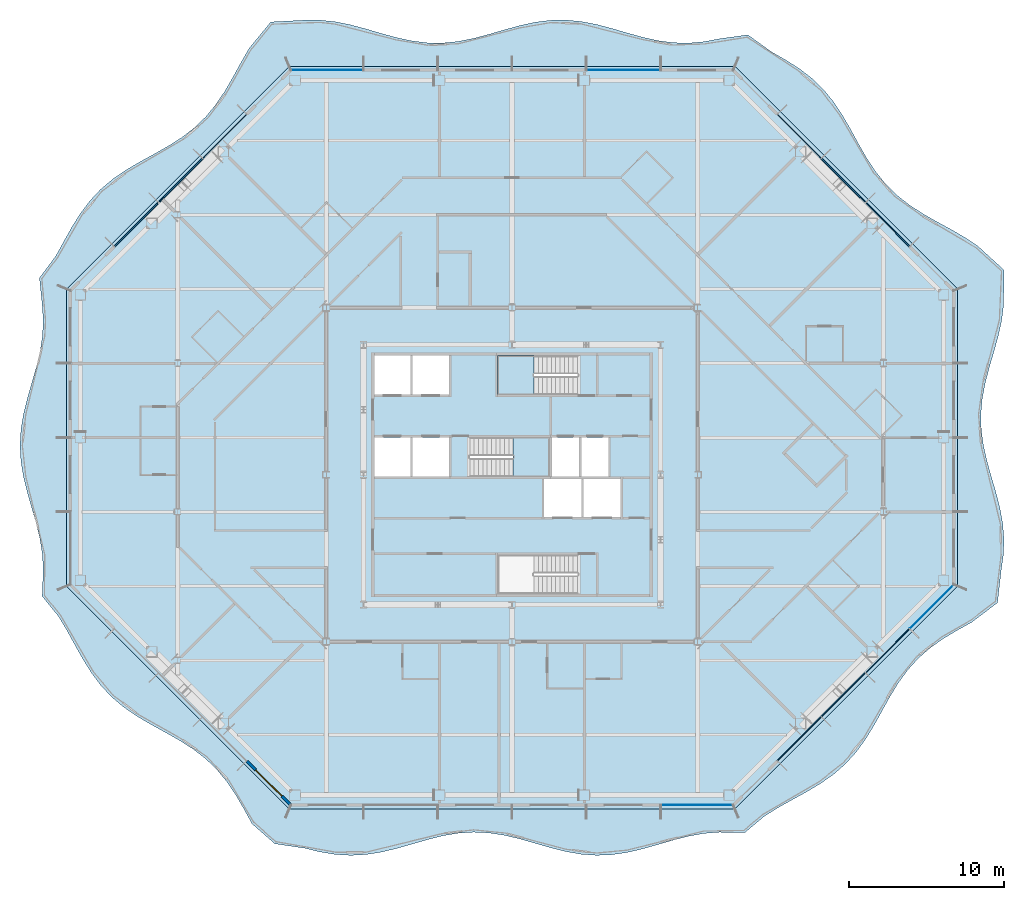
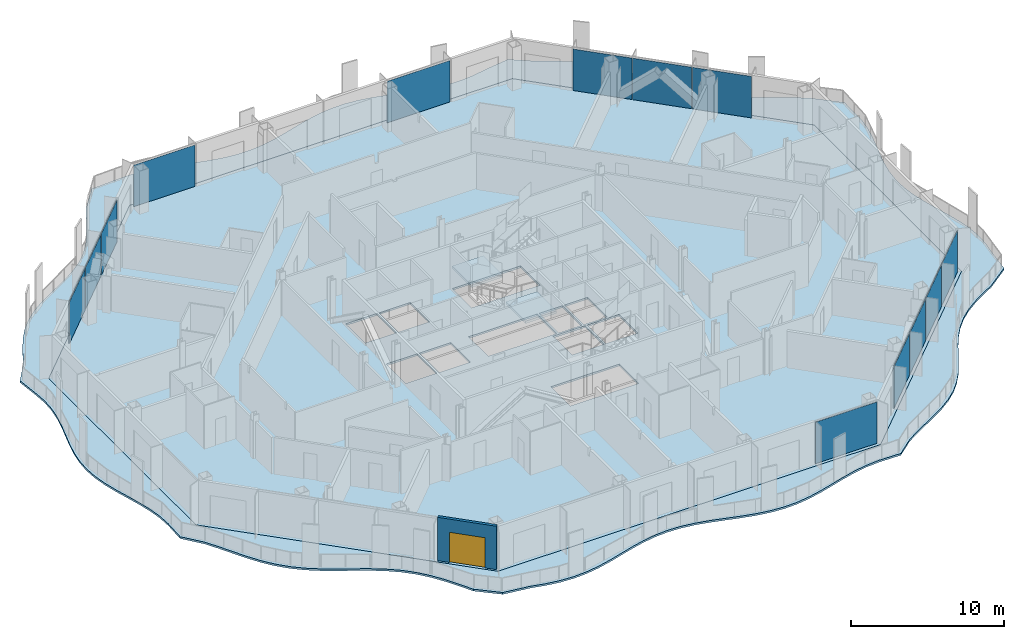
# One storey, part 6 of 21: 13 plates, 4 slabs, 1 door, 1 wall, 1 opening, 7 elements without a shape of their own.
"""IFC4 building model written with IfcOpenShell, lengths in metres."""

from ifc_helpers import new_model, si_unit, direction, frame, frame_2d, origin, origin_2d, place, context, subcontext, project, spatial, polyline, rectangle, outline, extrude, material, layer, layer_set, type_object, element, fill, aggregate, save


model = new_model("IFC4")

# Units and contexts
model_context = context("Model", 3, precision=1e-05, world=origin(), true_north=direction((0.0, 1.0)))
body_context = subcontext(model_context, "Body", "Model", "MODEL_VIEW")
ifc_project = project(units=[si_unit("LENGTHUNIT", "METRE"), si_unit("AREAUNIT", "SQUARE_METRE"), si_unit("VOLUMEUNIT", "CUBIC_METRE"), si_unit("PLANEANGLEUNIT", "RADIAN"), si_unit("MASSUNIT", "GRAM", prefix="KILO")], contexts=[model_context])

# Site, building, storey
site_placement = place(None, origin())
site = spatial("IfcSite", under=ifc_project, at=site_placement, CompositionType="ELEMENT")
building_placement = place(site_placement, origin())
building = spatial("IfcBuilding", under=site, at=building_placement, Name="Cairn Pilgrim Tower", CompositionType="ELEMENT")
storey_placement = place(building_placement, frame((0.0, 0.0, 132.60009765625)))
storey = spatial("IfcBuildingStorey", under=building, at=storey_placement, Name="L32", CompositionType="ELEMENT", Elevation=132.60009765625)

# Slabs
ifc_material_1 = material(Name="Concrete C35/45", Category="concrete")
ifc_layer_1 = layer(ifc_material_1, 0.14990234375)
ifc_layer_set_1 = layer_set([ifc_layer_1], Name="BALCONY SLAB 150 CONCRETE C35/45")
slab_type_1 = type_object("IfcSlabType", Name="BALCONY SLAB 150 CONCRETE C35/45", PredefinedType="FLOOR", material=ifc_layer_set_1)
slab_1_placement = place(storey_placement, frame((0.0, 0.0, -0.150146484375)))
element("IfcSlab", 1, at=slab_1_placement, inside=storey, type_object=slab_type_1, Name="Balcony slab BS-1", PredefinedType="FLOOR", context=body_context, shape_type="SweptSolid", body=[
    extrude(outline(polyline([(-9.602294921875, -20.162353515625), (-8.132080078125, -21.449951171875), (-6.206787109375, -21.735107421875), (-5.2138671875, -21.9775390625), (-4.220703125, -22.140625), (-3.2275390625, -22.199951171875), (-2.234375, -22.146728515625), (-1.241455078125, -21.98876953125), (-0.248291015625, -21.75), (0.744873046875, -21.46630859375), (1.738037109375, -21.179931640625), (2.73095703125, -20.934326171875), (3.72412109375, -20.765869140625), (4.71728515625, -20.700439453125), (5.71044921875, -20.747314453125), (6.703369140625, -20.89990234375), (7.696533203125, -21.135009765625), (8.689697265625, -21.41748046875), (9.682861328125, -21.704833984375), (10.67578125, -21.953857421875), (11.6689453125, -22.127197265625), (12.662109375, -22.198974609375), (13.6552734375, -22.158203125), (14.648193359375, -22.010986328125), (15.641357421875, -21.779541015625), (16.634521484375, -21.498779296875), (17.627685546875, -21.21044921875), (18.62060546875, -20.958251953125), (19.61376953125, -20.780029296875), (20.60693359375, -20.7021484375), (22.236572265625, -20.73681640625), (23.51025390625, -19.670166015625), (24.39697265625, -19.116943359375), (25.32080078125, -18.600830078125), (26.249267578125, -18.08935546875), (27.149658203125, -17.549560546875), (27.993408203125, -16.953369140625), (28.760986328125, -16.281005859375), (29.445068359375, -15.525146484375), (30.05126953125, -14.691162109375), (30.597412109375, -13.79736328125), (31.11083984375, -12.870849609375), (31.62451171875, -11.9443359375), (32.170654296875, -11.050537109375), (32.77685546875, -10.216796875), (33.4609375, -9.4609375), (34.228759765625, -8.78857421875), (35.072509765625, -8.192626953125), (35.972900390625, -7.653076171875), (36.9013671875, -7.141357421875), (38.581298828125, -5.869140625), (38.8154296875, -3.78955078125), (38.9619140625, -2.779052734375), (38.997802734375, -1.768310546875), (38.917236328125, -0.7578125), (38.733154296875, 0.252685546875), (38.473876953125, 1.26318359375), (38.179931640625, 2.273681640625), (37.896728515625, 3.2841796875), (37.66845703125, 4.294677734375), (37.530517578125, 5.30517578125), (37.504638671875, 6.315673828125), (37.59423828125, 7.326416015625), (37.7861328125, 8.3369140625), (38.0498046875, 9.347412109375), (38.3447265625, 10.35791015625), (38.625, 11.368408203125), (38.846923828125, 12.37890625), (38.97607421875, 13.389404296875), (38.992431640625, 15.639404296875), (37.324951171875, 17.1650390625), (36.46240234375, 17.742431640625), (35.55078125, 18.270751953125), (34.620361328125, 18.7802734375), (33.7041015625, 19.303955078125), (32.8330078125, 19.873046875), (32.03125, 20.51123046875), (31.311279296875, 21.231201171875), (30.67333984375, 22.033447265625), (30.1044921875, 22.904541015625), (29.580810546875, 23.82080078125), (29.071533203125, 24.75146484375), (28.54296875, 25.6630859375), (27.96533203125, 26.525390625), (27.31591796875, 27.31591796875), (26.583740234375, 28.023681640625), (25.770751953125, 28.650634765625), (24.891357421875, 29.21142578125), (23.970947265625, 29.73095703125), (22.4443359375, 30.838134765625), (20.60693359375, 30.58056640625), (19.61376953125, 30.393310546875), (18.62060546875, 30.304931640625), (17.627685546875, 30.328369140625), (16.634521484375, 30.4599609375), (15.641357421875, 30.680419921875), (14.648193359375, 30.956298828125), (13.6552734375, 31.246337890625), (12.662109375, 31.5068359375), (11.6689453125, 31.698486328125), (10.67578125, 31.79296875), (9.682861328125, 31.77587890625), (8.689697265625, 31.64990234375), (7.696533203125, 31.43359375), (6.703369140625, 31.15966796875), (5.71044921875, 30.869384765625), (4.71728515625, 30.606201171875), (3.72412109375, 30.40966796875), (2.73095703125, 30.309326171875), (1.738037109375, 30.320068359375), (0.744873046875, 30.440673828125), (-0.248291015625, 30.652587890625), (-1.241455078125, 30.924072265625), (-2.234375, 31.214599609375), (-3.2275390625, 31.48046875), (-4.220703125, 31.681640625), (-5.2138671875, 31.787841796875), (-6.206787109375, 31.783447265625), (-8.38818359375, 31.668701171875), (-9.79736328125, 29.957275390625), (-10.321044921875, 29.041015625), (-10.830322265625, 28.1103515625), (-11.35888671875, 27.198974609375), (-11.9365234375, 26.336669921875), (-12.5859375, 25.5458984375), (-13.318115234375, 24.838134765625), (-14.13134765625, 24.21142578125), (-15.0107421875, 23.650634765625), (-15.93115234375, 23.131103515625), (-16.86083984375, 22.620849609375), (-17.76708984375, 22.087158203125), (-18.620361328125, 21.500244140625), (-19.3994140625, 20.83935546875), (-20.09521484375, 20.09521484375), (-20.71142578125, 19.271484375), (-21.264404296875, 18.384521484375), (-21.78076171875, 17.460693359375), (-22.292236328125, 16.5322265625), (-23.34228515625, 15.12158203125), (-23.168212890625, 13.389404296875), (-23.100341796875, 12.37890625), (-23.14892578125, 11.368408203125), (-23.306640625, 10.35791015625), (-23.548583984375, 9.347412109375), (-23.83740234375, 8.3369140625), (-24.128173828125, 7.326416015625), (-24.375732421875, 6.315673828125), (-24.541748046875, 5.30517578125), (-24.60009765625, 4.294677734375), (-24.541748046875, 3.2841796875), (-24.3759765625, 2.273681640625), (-24.128662109375, 1.26318359375), (-23.837890625, 0.252685546875), (-23.548828125, -0.7578125), (-23.306884765625, -1.768310546875), (-23.149169921875, -2.779052734375), (-23.100341796875, -3.78955078125), (-23.168212890625, -5.449462890625), (-22.11279296875, -6.7529296875), (-21.573486328125, -7.6533203125), (-21.06201171875, -8.58203125), (-20.545654296875, -9.505615234375), (-19.9921875, -10.392333984375), (-19.37548828125, -11.215576171875), (-18.67919921875, -11.959228515625), (-17.899658203125, -12.61962890625), (-17.046142578125, -13.2060546875), (-16.1396484375, -13.73974609375), (-15.209716796875, -14.249755859375), (-14.28955078125, -14.76953125), (-13.41064453125, -15.33056640625), (-12.597900390625, -15.957763671875), (-11.8662109375, -16.666259765625), (-11.21728515625, -17.457275390625), (-10.639892578125, -18.31982421875), (-10.111572265625, -19.231689453125), (-9.602294921875, -20.162353515625)]), holes=[polyline([(21.60009765625, -19.199951171875), (-7.199951171875, -19.199951171875), (-21.60009765625, -4.800048828125), (-21.60009765625, 14.39990234375), (-7.199951171875, 28.800048828125), (21.60009765625, 28.800048828125), (36.0, 14.39990234375), (36.0, -4.800048828125), (21.60009765625, -19.199951171875)])]), origin(), (0.0, 0.0, 1.0), 0.150146484375),
])
ifc_layer_2 = layer(ifc_material_1, 0.14990234375)
ifc_layer_set_2 = layer_set([ifc_layer_2], Name="COMPOSITE FLOOR SLAB 150")
slab_type_2 = type_object("IfcSlabType", Name="COMPOSITE FLOOR SLAB 150", PredefinedType="FLOOR", material=ifc_layer_set_2)
slab_2_placement = place(storey_placement, frame((0.0, 0.0, -0.150146484375)))
element("IfcSlab", 2, at=slab_2_placement, inside=storey, type_object=slab_type_2, Name="FLOOR SLAB L32", PredefinedType="FLOOR", context=body_context, shape_type="SweptSolid", body=[
    extrude(outline(polyline([(-7.199951171875, -19.199951171875), (21.60009765625, -19.199951171875), (36.0, -4.800048828125), (36.0, 14.39990234375), (21.60009765625, 28.800048828125), (-7.199951171875, 28.800048828125), (-21.60009765625, 14.39990234375), (-21.60009765625, -4.800048828125), (-7.199951171875, -19.199951171875)]), holes=[polyline([(9.27490234375, -0.324951171875), (11.675048828125, -0.324951171875), (11.675048828125, 2.125), (9.27490234375, 2.125), (9.27490234375, -0.324951171875)]), polyline([(11.824951171875, -0.324951171875), (14.22509765625, -0.324951171875), (14.22509765625, 2.125), (11.824951171875, 2.125), (11.824951171875, -0.324951171875)]), polyline([(-1.72509765625, 2.27490234375), (0.625, 2.27490234375), (0.625, 4.824951171875), (-1.72509765625, 4.824951171875), (-1.72509765625, 2.27490234375)]), polyline([(0.77490234375, 2.27490234375), (3.125, 2.27490234375), (3.125, 4.824951171875), (0.77490234375, 4.824951171875), (0.77490234375, 2.27490234375)]), polyline([(-1.72509765625, 7.574951171875), (0.625, 7.574951171875), (0.625, 10.10009765625), (-1.72509765625, 10.10009765625), (-1.72509765625, 7.574951171875)]), polyline([(0.77490234375, 7.574951171875), (3.125, 7.574951171875), (3.125, 10.10009765625), (0.77490234375, 10.10009765625), (0.77490234375, 7.574951171875)]), polyline([(9.77490234375, 2.27490234375), (11.52490234375, 2.27490234375), (11.52490234375, 4.824951171875), (9.77490234375, 4.824951171875), (9.77490234375, 2.27490234375)]), polyline([(11.675048828125, 2.27490234375), (13.425048828125, 2.27490234375), (13.425048828125, 4.824951171875), (11.675048828125, 4.824951171875), (11.675048828125, 2.27490234375)]), polyline([(11.424560546875, -2.77490234375), (6.27490234375, -2.77490234375), (6.27490234375, -5.300048828125), (11.424560546875, -5.300048828125), (11.424560546875, -2.77490234375)]), polyline([(4.4755859375, 2.27490234375), (9.625, 2.27490234375), (9.625, 4.824951171875), (4.4755859375, 4.824951171875), (4.4755859375, 2.27490234375)]), polyline([(11.424560546875, 10.10009765625), (6.27490234375, 10.10009765625), (6.27490234375, 7.574951171875), (11.424560546875, 7.574951171875), (11.424560546875, 10.10009765625)])]), origin(), (0.0, 0.0, 1.0), 0.150146484375),
])

# Curtain wall, plates
ifc_material_2 = material(Name="Aluminium alloy 6063-T6 bronze anodised with Bronze tinted laminated low-E glass 8+16+8.8", Category="aluminium")
curtain_wall_type_1 = type_object("IfcCurtainWallType", Name="CHAMFER CORNER CURTAIN WALL", PredefinedType="NOTDEFINED", material=ifc_material_2)
curtain_wall_1_placement = place(storey_placement, origin())
curtain_wall_1 = element("IfcCurtainWall", 3, at=curtain_wall_1_placement, inside=storey, type_object=curtain_wall_type_1, Name="Chamfer Corner Curtain Wall SE", PredefinedType="NOTDEFINED")
ifc_material_3 = material(Name="Bronze anodised aluminium spandrel panel with mineral wool insulation", Category="aluminium")
ifc_layer_3 = layer(ifc_material_3, 0.06005859375)
ifc_layer_set_3 = layer_set([ifc_layer_3], Name="SPANDREL PANEL 3972x3300")
plate_type_1 = type_object("IfcPlateType", Name="SPANDREL PANEL 3972x3300", PredefinedType="CURTAIN_PANEL", material=ifc_layer_set_3)
plate_1_placement = place(storey_placement, frame((25.7724609375, -14.673828125, 0.0), z_axis=(0.0, 0.0, 1.0), x_axis=(0.707106781187, 0.707106781187, 0.0)))
plate_1 = element("IfcPlate", 4, at=plate_1_placement, type_object=plate_type_1, Name="Spandrel Panel SE2-1", PredefinedType="CURTAIN_PANEL", context=body_context, shape_type="SweptSolid", body=[
    extrude(rectangle(XDim=3.971435546875, YDim=0.06005859375, at=origin_2d()), origin(), (0.0, 0.0, 1.0), 3.300048828125),
])
plate_2_placement = place(storey_placement, frame((28.623291015625, -11.8232421875, 0.0), z_axis=(0.0, 0.0, 1.0), x_axis=(0.707106781187, 0.707106781187, 0.0)))
plate_2 = element("IfcPlate", 5, at=plate_2_placement, type_object=plate_type_1, Name="Spandrel Panel SE3-1", PredefinedType="CURTAIN_PANEL", context=body_context, shape_type="SweptSolid", body=[
    extrude(rectangle(XDim=3.971435546875, YDim=0.06005859375, at=origin_2d()), origin(), (0.0, 0.0, 1.0), 3.300048828125),
])
plate_3_placement = place(storey_placement, frame((31.473876953125, -8.972412109375, 0.0), z_axis=(0.0, 0.0, 1.0), x_axis=(0.707106781187, 0.707106781187, 0.0)))
plate_3 = element("IfcPlate", 6, at=plate_3_placement, type_object=plate_type_1, Name="Spandrel Panel SE4-1", PredefinedType="CURTAIN_PANEL", context=body_context, shape_type="SweptSolid", body=[
    extrude(rectangle(XDim=3.971435546875, YDim=0.06005859375, at=origin_2d()), origin(), (0.0, 0.0, 1.0), 3.300048828125),
])

curtain_wall_2_placement = place(storey_placement, origin())
curtain_wall_2 = element("IfcCurtainWall", 7, at=curtain_wall_2_placement, inside=storey, type_object=curtain_wall_type_1, Name="Chamfer Corner Curtain Wall NE", PredefinedType="NOTDEFINED")
plate_4_placement = place(storey_placement, frame((31.473876953125, 18.572509765625, 0.0), z_axis=(0.0, 0.0, 1.0), x_axis=(-0.707106781187, 0.707106781187, 0.0)))
plate_4 = element("IfcPlate", 8, at=plate_4_placement, type_object=plate_type_1, Name="Spandrel Panel NE2-1", PredefinedType="CURTAIN_PANEL", context=body_context, shape_type="SweptSolid", body=[
    extrude(rectangle(XDim=3.971435546875, YDim=0.06005859375, at=origin_2d()), origin(), (0.0, 0.0, 1.0), 3.300048828125),
])
plate_5_placement = place(storey_placement, frame((28.623291015625, 21.42333984375, 0.0), z_axis=(0.0, 0.0, 1.0), x_axis=(-0.707106781187, 0.707106781187, 0.0)))
plate_5 = element("IfcPlate", 9, at=plate_5_placement, type_object=plate_type_1, Name="Spandrel Panel NE3-1", PredefinedType="CURTAIN_PANEL", context=body_context, shape_type="SweptSolid", body=[
    extrude(rectangle(XDim=3.971435546875, YDim=0.06005859375, at=origin_2d()), origin(), (0.0, 0.0, 1.0), 3.300048828125),
])
plate_6_placement = place(storey_placement, frame((25.7724609375, 24.27392578125, 0.0), z_axis=(0.0, 0.0, 1.0), x_axis=(-0.707106781187, 0.707106781187, 0.0)))
plate_6 = element("IfcPlate", 10, at=plate_6_placement, type_object=plate_type_1, Name="Spandrel Panel NE4-1", PredefinedType="CURTAIN_PANEL", context=body_context, shape_type="SweptSolid", body=[
    extrude(rectangle(XDim=3.971435546875, YDim=0.06005859375, at=origin_2d()), origin(), (0.0, 0.0, 1.0), 3.300048828125),
])
aggregate(curtain_wall_2, [plate_4, plate_5, plate_6])

curtain_wall_3_placement = place(storey_placement, origin())
curtain_wall_3 = element("IfcCurtainWall", 11, at=curtain_wall_3_placement, inside=storey, type_object=curtain_wall_type_1, Name="Chamfer Corner Curtain Wall NW", PredefinedType="NOTDEFINED")
plate_7_placement = place(storey_placement, frame((-11.37255859375, 24.27392578125, 0.0), z_axis=(0.0, 0.0, 1.0), x_axis=(-0.707106781187, -0.707106781187, 0.0)))
plate_7 = element("IfcPlate", 12, at=plate_7_placement, type_object=plate_type_1, Name="Spandrel Panel NW2-1", PredefinedType="CURTAIN_PANEL", context=body_context, shape_type="SweptSolid", body=[
    extrude(rectangle(XDim=3.971435546875, YDim=0.06005859375, at=origin_2d()), origin(), (0.0, 0.0, 1.0), 3.300048828125),
])
plate_8_placement = place(storey_placement, frame((-14.22314453125, 21.42333984375, 0.0), z_axis=(0.0, 0.0, 1.0), x_axis=(-0.707106781187, -0.707106781187, 0.0)))
plate_8 = element("IfcPlate", 13, at=plate_8_placement, type_object=plate_type_1, Name="Spandrel Panel NW3-1", PredefinedType="CURTAIN_PANEL", context=body_context, shape_type="SweptSolid", body=[
    extrude(rectangle(XDim=3.971435546875, YDim=0.06005859375, at=origin_2d()), origin(), (0.0, 0.0, 1.0), 3.300048828125),
])
plate_9_placement = place(storey_placement, frame((-17.073974609375, 18.572509765625, 0.0), z_axis=(0.0, 0.0, 1.0), x_axis=(-0.707106781187, -0.707106781187, 0.0)))
plate_9 = element("IfcPlate", 14, at=plate_9_placement, type_object=plate_type_1, Name="Spandrel Panel NW4-1", PredefinedType="CURTAIN_PANEL", context=body_context, shape_type="SweptSolid", body=[
    extrude(rectangle(XDim=3.971435546875, YDim=0.06005859375, at=origin_2d()), origin(), (0.0, 0.0, 1.0), 3.300048828125),
])
aggregate(curtain_wall_3, [plate_7, plate_8, plate_9])

# Stair, slab
ifc_material_4 = material(Name="Concrete C32/40", Category="concrete")
stair_type = type_object("IfcStairType", Name="EXIT STAIR 1200", PredefinedType="HALF_TURN_STAIR", material=ifc_material_4)
stair_1_placement = place(storey_placement, origin())
stair_1 = element("IfcStair", 15, at=stair_1_placement, inside=storey, type_object=stair_type, Name="L32 Exit Stair B", PredefinedType="HALF_TURN_STAIR")
ifc_layer_4 = layer(ifc_material_4, 0.199951171875)
ifc_layer_set_4 = layer_set([ifc_layer_4], Name="STAIR LANDING 200")
slab_type_3 = type_object("IfcSlabType", Name="STAIR LANDING 200", PredefinedType="LANDING", material=ifc_layer_set_4)
slab_3_placement = place(storey_placement, frame((0.0, 0.0, 1.599853515625)))
slab_3 = element("IfcSlab", 16, at=slab_3_placement, type_object=slab_type_3, Name="ST-B landing 1", PredefinedType="LANDING", context=body_context, shape_type="SweptSolid", body=[
    extrude(outline(polyline([(7.27490234375, 2.27490234375), (9.625, 2.27490234375), (9.625, 4.824951171875), (7.27490234375, 4.824951171875), (7.27490234375, 2.27490234375)])), origin(), (0.0, 0.0, 1.0), 0.199951171875),
])
aggregate(stair_1, [slab_3])

stair_2_placement = place(storey_placement, origin())
stair_2 = element("IfcStair", 17, at=stair_2_placement, inside=storey, type_object=stair_type, Name="L32 Exit Stair C", PredefinedType="HALF_TURN_STAIR")
slab_4_placement = place(storey_placement, frame((0.0, 0.0, 1.599853515625)))
slab_4 = element("IfcSlab", 18, at=slab_4_placement, type_object=slab_type_3, Name="ST-C landing 1", PredefinedType="LANDING", context=body_context, shape_type="SweptSolid", body=[
    extrude(outline(polyline([(8.625, 10.10009765625), (6.27490234375, 10.10009765625), (6.27490234375, 7.574951171875), (8.625, 7.574951171875), (8.625, 10.10009765625)])), origin(), (0.0, 0.0, 1.0), 0.199951171875),
])
aggregate(stair_2, [slab_4])

# Plate
ifc_material_5 = material(Name="Bronze tinted laminated low-E glass 8+16+8.8", Category="glass")
ifc_layer_5 = layer(ifc_material_5, 0.033935546875)
ifc_layer_set_5 = layer_set([ifc_layer_5], Name="VISION GLAZING 3962x3300")
plate_type_2 = type_object("IfcPlateType", Name="VISION GLAZING 3962x3300", PredefinedType="CURTAIN_PANEL", material=ifc_layer_set_5)
plate_10_placement = place(storey_placement, frame((34.321044921875, -6.125244140625, 0.0), z_axis=(0.0, 0.0, 1.0), x_axis=(0.707106781187, 0.707106781187, 0.0)))
plate_10 = element("IfcPlate", 19, at=plate_10_placement, type_object=plate_type_2, Name="Vision Glazing SE5-1", PredefinedType="CURTAIN_PANEL", context=body_context, shape_type="SweptSolid", body=[
    extrude(rectangle(XDim=3.96142578125, YDim=0.033935546875, at=origin_2d()), origin(), (0.0, 0.0, 1.0), 3.300048828125),
])

aggregate(curtain_wall_1, [plate_1, plate_2, plate_3, plate_10])

# Curtain wall, plate
curtain_wall_type_2 = type_object("IfcCurtainWallType", Name="TOWER STICK CURTAIN WALL NS", PredefinedType="NOTDEFINED", material=ifc_material_2)
curtain_wall_4_placement = place(storey_placement, origin())
curtain_wall_4 = element("IfcCurtainWall", 20, at=curtain_wall_4_placement, inside=storey, type_object=curtain_wall_type_2, Name="Tower Stick Curtain Wall Ns S", PredefinedType="NOTDEFINED")
ifc_layer_6 = layer(ifc_material_5, 0.033935546875)
ifc_layer_set_6 = layer_set([ifc_layer_6], Name="VISION GLAZING 4626x3300")
plate_type_3 = type_object("IfcPlateType", Name="VISION GLAZING 4626x3300", PredefinedType="CURTAIN_PANEL", material=ifc_layer_set_6)
plate_11_placement = place(storey_placement, frame((19.143310546875, -18.949951171875, 0.0), z_axis=(0.0, 0.0, 1.0), x_axis=(1.0, 0.0, 0.0)))
plate_11 = element("IfcPlate", 21, at=plate_11_placement, type_object=plate_type_3, Name="Vision Glazing S6-1", PredefinedType="CURTAIN_PANEL", context=body_context, shape_type="SweptSolid", body=[
    extrude(rectangle(XDim=4.62646484375, YDim=0.033935546875, at=origin_2d()), origin(), (0.0, 0.0, 1.0), 3.300048828125),
])
aggregate(curtain_wall_4, [plate_11])

# Curtain wall, plates
curtain_wall_5_placement = place(storey_placement, origin())
curtain_wall_5 = element("IfcCurtainWall", 22, at=curtain_wall_5_placement, inside=storey, type_object=curtain_wall_type_2, Name="Tower Stick Curtain Wall Ns N", PredefinedType="NOTDEFINED")
plate_12_placement = place(storey_placement, frame((-4.7431640625, 28.550048828125, 0.0), z_axis=(0.0, 0.0, 1.0), x_axis=(-1.0, 0.0, 0.0)))
plate_12 = element("IfcPlate", 23, at=plate_12_placement, type_object=plate_type_3, Name="Vision Glazing N6-1", PredefinedType="CURTAIN_PANEL", context=body_context, shape_type="SweptSolid", body=[
    extrude(rectangle(XDim=4.62646484375, YDim=0.033935546875, at=origin_2d()), origin(), (0.0, 0.0, 1.0), 3.300048828125),
])
ifc_layer_7 = layer(ifc_material_5, 0.033935546875)
ifc_layer_set_7 = layer_set([ifc_layer_7], Name="VISION GLAZING 4740x3300")
plate_type_4 = type_object("IfcPlateType", Name="VISION GLAZING 4740x3300", PredefinedType="CURTAIN_PANEL", material=ifc_layer_set_7)
plate_13_placement = place(storey_placement, frame((14.39990234375, 28.550048828125, 0.0), z_axis=(0.0, 0.0, 1.0), x_axis=(-1.0, 0.0, 0.0)))
plate_13 = element("IfcPlate", 24, at=plate_13_placement, type_object=plate_type_4, Name="Vision Glazing N2-1", PredefinedType="CURTAIN_PANEL", context=body_context, shape_type="SweptSolid", body=[
    extrude(rectangle(XDim=4.739990234375, YDim=0.033935546875, at=origin_2d()), origin(), (0.0, 0.0, 1.0), 3.300048828125),
])
aggregate(curtain_wall_5, [plate_13, plate_12])

# Wall, opening, door
ifc_material_6 = material(Name="Bronze anodised aluminium insulated sandwich panel with mineral wool fill", Category="aluminium")
ifc_layer_8 = layer(ifc_material_6, 0.199951171875)
ifc_layer_set_8 = layer_set([ifc_layer_8], Name="BRONZE INFILL FRAME WALL 200")
wall_type = type_object("IfcWallType", Name="BRONZE INFILL FRAME WALL 200", PredefinedType="NOTDEFINED", material=ifc_layer_set_8)
wall_placement = place(storey_placement, frame((-9.926025390625, -16.12060546875, 0.0), z_axis=(0.0, 0.0, 1.0), x_axis=(0.707137595296, -0.707075965734, 0.0)))
wall = element("IfcWall", 25, at=wall_placement, inside=storey, type_object=wall_type, Name="Bronze infill frame wall IW-SW5", PredefinedType="NOTDEFINED", context=body_context, shape_type="SweptSolid", body=[
    extrude(rectangle(XDim=3.96142578125, YDim=0.199951171875, at=frame_2d((1.980712890625, 0.0))), origin(), (0.0, 0.0, 1.0), 3.449951171875),
])
opening_placement = place(wall_placement, frame((0.78564453125, 0.0, 0.0)))
opening = element("IfcOpeningElement", 26, at=opening_placement, cuts=wall, Name="Opening 3216B", PredefinedType="OPENING", context=body_context, shape_type="SweptSolid", body=[
    extrude(rectangle(XDim=2.39990234375, YDim=2.39990234375, at=frame_2d((1.199951171875, 1.199951171875))), frame((0.0, 0.10986328125, 0.0), z_axis=(0.0, -1.0, 0.0), x_axis=(1.0, 0.0, 0.0)), (0.0, 0.0, 1.0), 0.219970703125),
])
ifc_material_7 = material(Name="Bronze anodised aluminium frame with tinted low-E glass", Category="aluminium")
door_type = type_object("IfcDoorType", Name="BALCONY SLIDING DOOR 2400x2400", OperationType="DOUBLE_DOOR_SLIDING", PredefinedType="DOOR", material=ifc_material_7)
door_placement = place(opening_placement, origin())
door = element("IfcDoor", 27, at=door_placement, inside=storey, type_object=door_type, Name="Balcony sliding door 3216B", OperationType="SINGLE_SWING_LEFT", OverallHeight=2.39990234375, OverallWidth=2.39990234375, PredefinedType="DOOR", context=body_context, shape_type="SweptSolid", body=[
    extrude(rectangle(XDim=2.39990234375, YDim=2.39990234375, at=frame_2d((1.199951171875, 1.199951171875))), frame((0.0, 0.02490234375, 0.0), z_axis=(0.0, -1.0, 0.0), x_axis=(1.0, 0.0, 0.0)), (0.0, 0.0, 1.0), 0.050048828125),
])
fill(opening, door)

save(model, "model.ifc")
